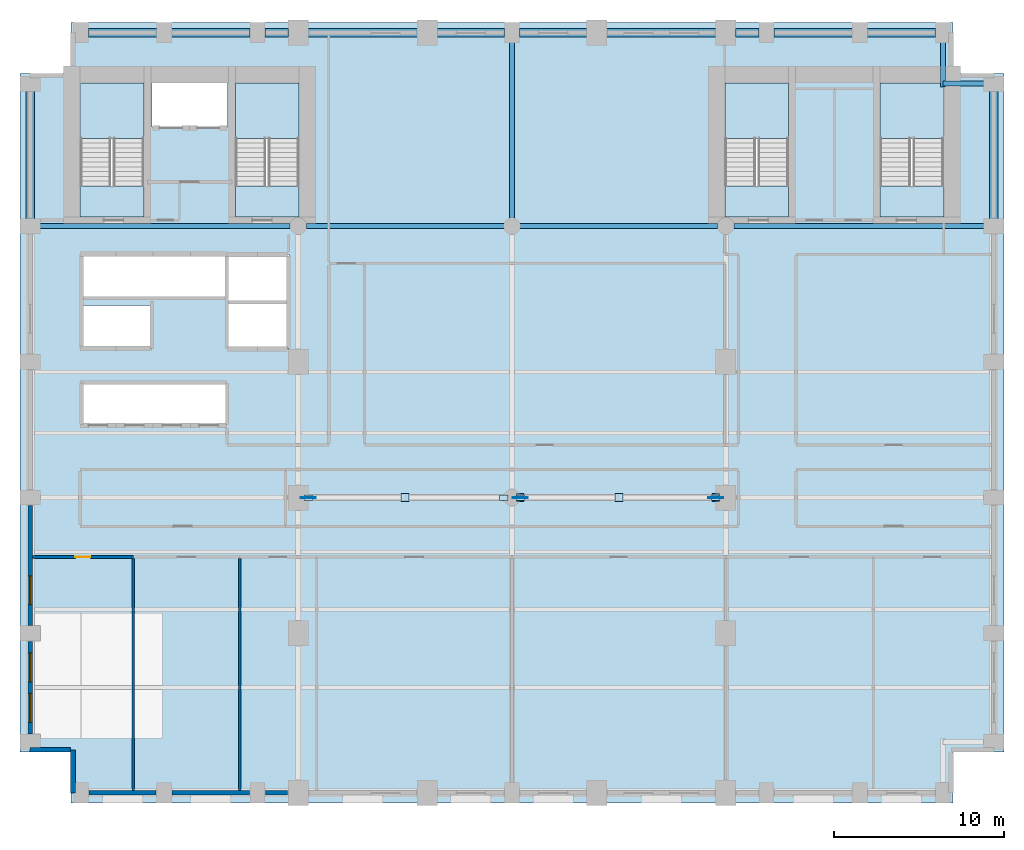
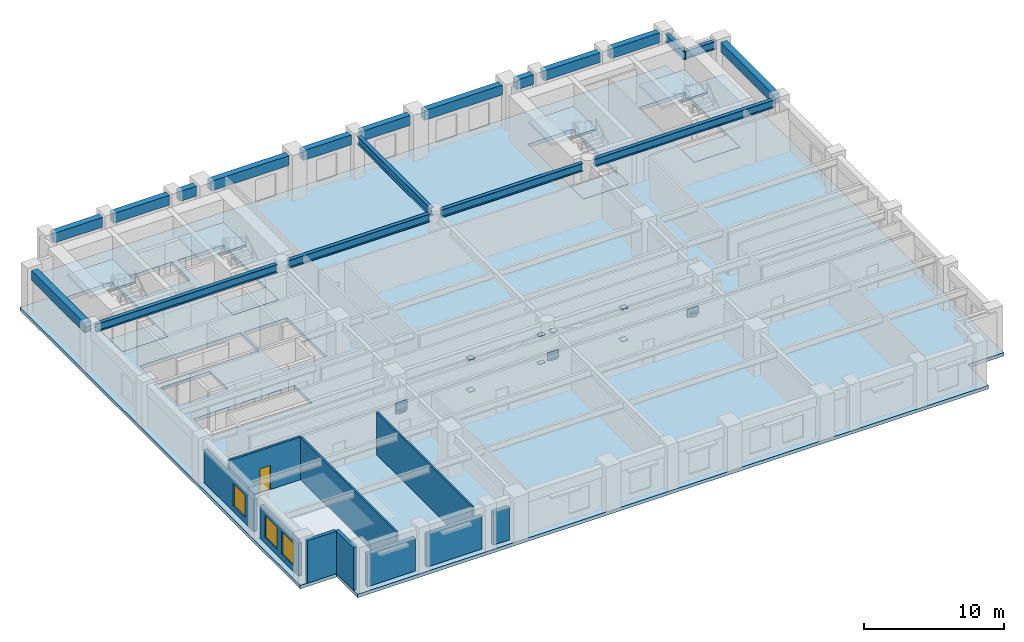
# One storey, part 4 of 11: 19 beams, 16 plates, 10 walls, 9 slabs, 3 windows, 1 door, 4 openings, 4 elements without a shape of their own.
"""IFC4 building model written with IfcOpenShell, lengths in metres."""

from ifc_helpers import new_model, si_unit, direction, frame, frame_2d, origin, origin_2d, place, context, subcontext, project, spatial, polyline, rectangle, i_section, outline, extrude, material, layer, layer_set, material_profile, profile_set, type_object, element, fill, aggregate, save


model = new_model("IFC4")

# Units and contexts
model_context = context("Model", 3, precision=1e-05, world=origin(), true_north=direction((0.0, 1.0)))
body_context = subcontext(model_context, "Body", "Model", "MODEL_VIEW")
ifc_project = project(units=[si_unit("LENGTHUNIT", "METRE"), si_unit("AREAUNIT", "SQUARE_METRE"), si_unit("VOLUMEUNIT", "CUBIC_METRE"), si_unit("PLANEANGLEUNIT", "RADIAN"), si_unit("MASSUNIT", "GRAM", prefix="KILO")], contexts=[model_context])

# Site, building, storey
site_placement = place(None, origin())
site = spatial("IfcSite", under=ifc_project, at=site_placement, CompositionType="ELEMENT")
building_placement = place(site_placement, origin())
building = spatial("IfcBuilding", under=site, at=building_placement, Name="Sulina Concourse Tower", CompositionType="ELEMENT")
storey_placement = place(building_placement, frame((0.0, 0.0, 46.60009765625)))
storey = spatial("IfcBuildingStorey", under=building, at=storey_placement, Name="L11", CompositionType="ELEMENT", Elevation=46.60009765625)

# Beams
ifc_material_1 = material(Name="Steel S355", Category="steel")
ifc_material_profile_1 = material_profile(ifc_material_1, i_section(OverallWidth=0.300048828125, OverallDepth=0.699951171875, WebThickness=0.01708984375, FlangeThickness=0.031982421875, at=origin_2d()), Name="HE 700 B")
ifc_profile_set_1 = profile_set([ifc_material_profile_1], Name="Steel S355")
beam_type_1 = type_object("IfcBeamType", Name="Floor Primary Girder Zone 1 HE700B", PredefinedType="BEAM", material=ifc_profile_set_1)
beam_1_placement = place(storey_placement, frame((54.39990234375, 42.39990234375, 3.349853515625), z_axis=(1.0, 0.0, 0.0), x_axis=(0.0, 1.0, 0.0)))
element("IfcBeam", 1, at=beam_1_placement, inside=storey, type_object=beam_type_1, Name="TIE-NE-L11", PredefinedType="BEAM", context=body_context, shape_type="SweptSolid", body=[
    extrude(i_section(OverallWidth=0.300048828125, OverallDepth=0.699951171875, WebThickness=0.01708984375, FlangeThickness=0.031982421875, at=origin_2d()), origin(), (0.0, 0.0, 1.0), 2.570068359375),
])
beam_2_placement = place(storey_placement, frame((54.39990234375, 42.199951171875, 3.349853515625), z_axis=(0.0, 1.0, 0.0), x_axis=(-1.0, 0.0, 0.0)))
element("IfcBeam", 2, at=beam_2_placement, inside=storey, type_object=beam_type_1, Name="TIE-NEN-L11", PredefinedType="BEAM", context=body_context, shape_type="SweptSolid", body=[
    extrude(i_section(OverallWidth=0.300048828125, OverallDepth=0.699951171875, WebThickness=0.01708984375, FlangeThickness=0.031982421875, at=origin_2d()), origin(), (0.0, 0.0, 1.0), 2.77001953125),
])
beam_3_placement = place(storey_placement, frame((1.030029296875, 34.0, 3.349853515625), z_axis=(1.0, 0.0, 0.0), x_axis=(0.0, 1.0, 0.0)))
element("IfcBeam", 3, at=beam_3_placement, inside=storey, type_object=beam_type_1, Name="FG-EWN1-L11", PredefinedType="BEAM", context=body_context, shape_type="SweptSolid", body=[
    extrude(i_section(OverallWidth=0.300048828125, OverallDepth=0.699951171875, WebThickness=0.01708984375, FlangeThickness=0.031982421875, at=origin_2d()), origin(), (0.0, 0.0, 1.0), 14.889892578125),
])
for number, where, z_axis, x_axis, name in (
    (4, (16.8798828125, 34.0, 3.349853515625), (1.0, 0.0, 0.0), (0.0, 1.0, 0.0), "FG-EWN2-L11"),
    (5, (29.47998046875, 34.0, 3.349853515625), (1.0, 0.0, 0.0), (0.0, 1.0, 0.0), "FG-EWN3-L11"),
):
    element("IfcBeam", number, at=place(storey_placement, frame(where, z_axis=z_axis, x_axis=x_axis)), inside=storey, type_object=beam_type_1, Name=name, PredefinedType="BEAM", context=body_context, shape_type="SweptSolid", body=[
        extrude(i_section(OverallWidth=0.300048828125, OverallDepth=0.699951171875, WebThickness=0.01708984375, FlangeThickness=0.031982421875, at=origin_2d()), origin(), (0.0, 0.0, 1.0), 11.64013671875),
    ])
beam_4_placement = place(storey_placement, frame((42.080078125, 34.0, 3.349853515625), z_axis=(1.0, 0.0, 0.0), x_axis=(0.0, 1.0, 0.0)))
element("IfcBeam", 6, at=beam_4_placement, inside=storey, type_object=beam_type_1, Name="FG-EWN4-L11", PredefinedType="BEAM", context=body_context, shape_type="SweptSolid", body=[
    extrude(i_section(OverallWidth=0.300048828125, OverallDepth=0.699951171875, WebThickness=0.01708984375, FlangeThickness=0.031982421875, at=origin_2d()), origin(), (0.0, 0.0, 1.0), 14.889892578125),
])
beam_5_placement = place(storey_placement, frame((29.0, 34.47998046875, 3.349853515625), z_axis=(0.0, 1.0, 0.0), x_axis=(-1.0, 0.0, 0.0)))
element("IfcBeam", 7, at=beam_5_placement, inside=storey, type_object=beam_type_1, Name="FG-NSC-29-L11", PredefinedType="BEAM", context=body_context, shape_type="SweptSolid", body=[
    extrude(i_section(OverallWidth=0.300048828125, OverallDepth=0.699951171875, WebThickness=0.01708984375, FlangeThickness=0.031982421875, at=origin_2d()), origin(), (0.0, 0.0, 1.0), 10.489990234375),
])
ifc_material_2 = material(Name="Precast concrete C50/60", Category="concrete")
ifc_material_profile_2 = material_profile(ifc_material_2, rectangle(XDim=0.5, YDim=0.85009765625, at=origin_2d()), Name="RC 500x850")
ifc_profile_set_2 = profile_set([ifc_material_profile_2], Name="Precast concrete C50/60")
beam_type_2 = type_object("IfcBeamType", Name="Lower Precast Spandrel Edge Beam 500x850", PredefinedType="BEAM", material=ifc_profile_set_2)
beam_6_placement = place(storey_placement, frame((4.030029296875, 45.39990234375, 3.27490234375), z_axis=(1.0, 0.0, 0.0), x_axis=(0.0, 1.0, 0.0)))
element("IfcBeam", 8, at=beam_6_placement, inside=storey, type_object=beam_type_2, Name="SP-N1-L11", PredefinedType="BEAM", context=body_context, shape_type="SweptSolid", body=[
    extrude(rectangle(XDim=0.5, YDim=0.85009765625, at=origin_2d()), origin(), (0.0, 0.0, 1.0), 4.0400390625),
])
beam_7_placement = place(storey_placement, frame((8.929931640625, 45.39990234375, 3.27490234375), z_axis=(1.0, 0.0, 0.0), x_axis=(0.0, 1.0, 0.0)))
element("IfcBeam", 9, at=beam_7_placement, inside=storey, type_object=beam_type_2, Name="SP-N2-L11", PredefinedType="BEAM", context=body_context, shape_type="SweptSolid", body=[
    extrude(rectangle(XDim=0.5, YDim=0.85009765625, at=origin_2d()), origin(), (0.0, 0.0, 1.0), 4.64013671875),
])
beam_8_placement = place(storey_placement, frame((14.429931640625, 45.39990234375, 3.27490234375), z_axis=(1.0, 0.0, 0.0), x_axis=(0.0, 1.0, 0.0)))
element("IfcBeam", 10, at=beam_8_placement, inside=storey, type_object=beam_type_2, Name="SP-N3-L11", PredefinedType="BEAM", context=body_context, shape_type="SweptSolid", body=[
    extrude(rectangle(XDim=0.5, YDim=0.85009765625, at=origin_2d()), origin(), (0.0, 0.0, 1.0), 1.39013671875),
])
beam_9_placement = place(storey_placement, frame((16.97998046875, 45.39990234375, 3.27490234375), z_axis=(1.0, 0.0, 0.0), x_axis=(0.0, 1.0, 0.0)))
element("IfcBeam", 11, at=beam_9_placement, inside=storey, type_object=beam_type_2, Name="SP-N4-L11", PredefinedType="BEAM", context=body_context, shape_type="SweptSolid", body=[
    extrude(rectangle(XDim=0.5, YDim=0.85009765625, at=origin_2d()), origin(), (0.0, 0.0, 1.0), 6.43994140625),
])
for number, where, z_axis, x_axis, name in (
    (12, (24.580078125, 45.39990234375, 3.27490234375), (1.0, 0.0, 0.0), (0.0, 1.0, 0.0), "SP-N5-L11"),
    (13, (29.429931640625, 45.39990234375, 3.27490234375), (1.0, 0.0, 0.0), (0.0, 1.0, 0.0), "SP-N6-L11"),
):
    element("IfcBeam", number, at=place(storey_placement, frame(where, z_axis=z_axis, x_axis=x_axis)), inside=storey, type_object=beam_type_2, Name=name, PredefinedType="BEAM", context=body_context, shape_type="SweptSolid", body=[
        extrude(rectangle(XDim=0.5, YDim=0.85009765625, at=origin_2d()), origin(), (0.0, 0.0, 1.0), 3.989990234375),
    ])
beam_10_placement = place(storey_placement, frame((34.580078125, 45.39990234375, 3.27490234375), z_axis=(1.0, 0.0, 0.0), x_axis=(0.0, 1.0, 0.0)))
element("IfcBeam", 14, at=beam_10_placement, inside=storey, type_object=beam_type_2, Name="SP-N7-L11", PredefinedType="BEAM", context=body_context, shape_type="SweptSolid", body=[
    extrude(rectangle(XDim=0.5, YDim=0.85009765625, at=origin_2d()), origin(), (0.0, 0.0, 1.0), 6.43994140625),
])
beam_11_placement = place(storey_placement, frame((42.179931640625, 45.39990234375, 3.27490234375), z_axis=(1.0, 0.0, 0.0), x_axis=(0.0, 1.0, 0.0)))
element("IfcBeam", 15, at=beam_11_placement, inside=storey, type_object=beam_type_2, Name="SP-N8-L11", PredefinedType="BEAM", context=body_context, shape_type="SweptSolid", body=[
    extrude(rectangle(XDim=0.5, YDim=0.85009765625, at=origin_2d()), origin(), (0.0, 0.0, 1.0), 1.39013671875),
])
beam_12_placement = place(storey_placement, frame((44.429931640625, 45.39990234375, 3.27490234375), z_axis=(1.0, 0.0, 0.0), x_axis=(0.0, 1.0, 0.0)))
element("IfcBeam", 16, at=beam_12_placement, inside=storey, type_object=beam_type_2, Name="SP-N9-L11", PredefinedType="BEAM", context=body_context, shape_type="SweptSolid", body=[
    extrude(rectangle(XDim=0.5, YDim=0.85009765625, at=origin_2d()), origin(), (0.0, 0.0, 1.0), 4.64013671875),
])
beam_13_placement = place(storey_placement, frame((49.929931640625, 45.39990234375, 3.27490234375), z_axis=(1.0, 0.0, 0.0), x_axis=(0.0, 1.0, 0.0)))
element("IfcBeam", 17, at=beam_13_placement, inside=storey, type_object=beam_type_2, Name="SP-N10-L11", PredefinedType="BEAM", context=body_context, shape_type="SweptSolid", body=[
    extrude(rectangle(XDim=0.5, YDim=0.85009765625, at=origin_2d()), origin(), (0.0, 0.0, 1.0), 4.0400390625),
])
for number, where, z_axis, x_axis, name in (
    (18, (0.60009765625, 34.429931640625, 3.27490234375), (0.0, 1.0, 0.0), (-1.0, 0.0, 0.0), "SP-W5-L11"),
    (19, (57.39990234375, 34.429931640625, 3.27490234375), (0.0, 1.0, 0.0), (-1.0, 0.0, 0.0), "SP-E5-L11"),
):
    element("IfcBeam", number, at=place(storey_placement, frame(where, z_axis=z_axis, x_axis=x_axis)), inside=storey, type_object=beam_type_2, Name=name, PredefinedType="BEAM", context=body_context, shape_type="SweptSolid", body=[
        extrude(rectangle(XDim=0.5, YDim=0.85009765625, at=origin_2d()), origin(), (0.0, 0.0, 1.0), 7.5400390625),
    ])

# Plates
ifc_material_3 = material(Name="Steel S355", Category="steel")
ifc_layer_1 = layer(ifc_material_3, 0.050048828125)
ifc_layer_set_1 = layer_set([ifc_layer_1], Name="Steel S355")
plate_type_1 = type_object("IfcPlateType", Name="Bridge Truss Node Gusset Plate 50mm", PredefinedType="USERDEFINED", material=ifc_layer_set_1)
for number, where, z_axis, x_axis, name in (
    (20, (16.989990234375, 18.0, 0.31982421875), (0.0, 0.0, 1.0), (1.0, 0.0, 0.0), "LBT-CH-1-L11 node gusset plate"),
    (21, (16.989990234375, 18.0, 0.06982421875), (0.0, 0.0, 1.0), (1.0, 0.0, 0.0), "LBT-DG-1-L11 node gusset plate"),
    (22, (29.489990234375, 18.0, 0.31982421875), (0.0, 0.0, 1.0), (1.0, 0.0, 0.0), "LBT-CH-2-L11 node gusset plate"),
    (23, (41.010009765625, 18.0, 0.06982421875), (0.0, 0.0, 1.0), (1.0, 0.0, 0.0), "LBT-DG-2-L11 node gusset plate"),
):
    element("IfcPlate", number, at=place(storey_placement, frame(where, z_axis=z_axis, x_axis=x_axis)), inside=storey, type_object=plate_type_1, Name=name, ObjectType="GUSSET_PLATE", PredefinedType="USERDEFINED", context=body_context, shape_type="SweptSolid", body=[
        extrude(rectangle(XDim=0.89990234375, YDim=0.050048828125, at=origin_2d()), origin(), (0.0, 0.0, 1.0), 0.699951171875),
    ])
ifc_material_4 = material(Name="Steel S355", Category="steel")
ifc_layer_2 = layer(ifc_material_4, 0.035888671875)
ifc_layer_set_2 = layer_set([ifc_layer_2], Name="Steel S355")
plate_type_2 = type_object("IfcPlateType", Name="Heavy RHS500 End-Cap Plate 36mm", PredefinedType="USERDEFINED", material=ifc_layer_set_2)
for number, where, z_axis, x_axis, name in (
    (24, (16.989990234375, 18.0, 0.35205078125), (0.0, 0.0, 1.0), (1.0, 0.0, 0.0), "LBT-CH-1-L11 end cap plate 1"),
    (25, (28.510009765625, 18.0, 0.35205078125), (0.0, 0.0, 1.0), (1.0, 0.0, 0.0), "LBT-CH-1-L11 end cap plate 2"),
    (26, (16.989990234375, 18.0, 0.10205078125), (0.0, 0.0, 1.0), (1.0, 0.0, 0.0), "LBT-DG-1-L11 end cap plate 1"),
    (27, (28.510009765625, 18.0, 2.78173828125), (0.0, 0.0, 1.0), (1.0, 0.0, 0.0), "LBT-DG-1-L11 end cap plate 2"),
    (28, (29.489990234375, 18.0, 0.35205078125), (0.0, 0.0, 1.0), (1.0, 0.0, 0.0), "LBT-CH-2-L11 end cap plate 1"),
    (29, (41.010009765625, 18.0, 0.35205078125), (0.0, 0.0, 1.0), (1.0, 0.0, 0.0), "LBT-CH-2-L11 end cap plate 2"),
):
    element("IfcPlate", number, at=place(storey_placement, frame(where, z_axis=z_axis, x_axis=x_axis)), inside=storey, type_object=plate_type_2, Name=name, ObjectType="CAP_PLATE", PredefinedType="USERDEFINED", context=body_context, shape_type="SweptSolid", body=[
        extrude(rectangle(XDim=0.52001953125, YDim=0.320068359375, at=origin_2d()), origin(), (0.0, 0.0, 1.0), 0.035888671875),
    ])

# Slab
ifc_material_5 = material(Name="Concrete C50/60", Category="concrete")
ifc_layer_3 = layer(ifc_material_5, 0.300048828125)
ifc_layer_set_3 = layer_set([ifc_layer_3], Name="Concrete C50/60")
slab_type_1 = type_object("IfcSlabType", Name="Low-Rise Composite Floor Slab 300mm", PredefinedType="FLOOR", material=ifc_layer_set_3)
slab_1_placement = place(storey_placement, frame((0.0, 0.0, -0.300048828125)))
element("IfcSlab", 30, at=slab_1_placement, inside=storey, type_object=slab_type_1, Name="L11 structural floor slab", PredefinedType="FLOOR", context=body_context, shape_type="SweptSolid", body=[
    extrude(outline(polyline([(3.0, 0.0), (55.0, 0.0), (55.0, 3.0), (58.0, 3.0), (58.0, 43.0), (55.0, 43.0), (55.0, 46.0), (3.0, 46.0), (3.0, 43.0), (0.0, 43.0), (0.0, 3.0), (3.0, 3.0), (3.0, 0.0)]), holes=[polyline([(7.31005859375, 34.550048828125), (7.31005859375, 42.429931640625), (3.550048828125, 42.429931640625), (3.550048828125, 34.550048828125), (7.31005859375, 34.550048828125)]), polyline([(16.449951171875, 34.550048828125), (16.449951171875, 42.429931640625), (12.68994140625, 42.429931640625), (12.68994140625, 34.550048828125), (16.449951171875, 34.550048828125)]), polyline([(45.31005859375, 34.550048828125), (45.31005859375, 42.429931640625), (41.550048828125, 42.429931640625), (41.550048828125, 34.550048828125), (45.31005859375, 34.550048828125)]), polyline([(54.449951171875, 34.550048828125), (54.449951171875, 42.429931640625), (50.68994140625, 42.429931640625), (50.68994140625, 34.550048828125), (54.449951171875, 34.550048828125)]), polyline([(7.780029296875, 39.830078125), (12.219970703125, 39.830078125), (12.219970703125, 42.449951171875), (7.780029296875, 42.449951171875), (7.780029296875, 39.830078125)]), polyline([(3.739990234375, 26.780029296875), (7.77001953125, 26.780029296875), (7.77001953125, 29.320068359375), (3.739990234375, 29.320068359375), (3.739990234375, 26.780029296875)]), polyline([(3.739990234375, 29.780029296875), (12.10009765625, 29.780029296875), (12.10009765625, 32.3701171875), (3.739990234375, 32.3701171875), (3.739990234375, 29.780029296875)]), polyline([(3.739990234375, 22.280029296875), (12.10009765625, 22.280029296875), (12.10009765625, 24.77001953125), (3.739990234375, 24.77001953125), (3.739990234375, 22.280029296875)]), polyline([(12.280029296875, 26.780029296875), (15.85009765625, 26.780029296875), (15.85009765625, 32.320068359375), (12.280029296875, 32.320068359375), (12.280029296875, 26.780029296875)])]), origin(), (0.0, 0.0, 1.0), 0.300048828125),
])

# Plates
ifc_material_6 = material(Name="Steel S355", Category="steel")
ifc_layer_4 = layer(ifc_material_6, 0.028076171875)
ifc_layer_set_4 = layer_set([ifc_layer_4], Name="Steel S355")
plate_type_3 = type_object("IfcPlateType", Name="Medium Hollow Section End-Cap Plate 28mm", PredefinedType="USERDEFINED", material=ifc_layer_set_4)
for number, where, z_axis, x_axis, name in (
    (31, (22.699951171875, 18.0, -0.00927734375), (0.0, 0.0, 1.0), (1.0, 0.0, 0.0), "LBT-VP-1-L11 end cap plate 1"),
    (32, (22.699951171875, 18.0, 2.78564453125), (0.0, 0.0, 1.0), (1.0, 0.0, 0.0), "LBT-VP-1-L11 end cap plate 2"),
    (33, (41.010009765625, 18.0, 0.10595703125), (0.0, 0.0, 1.0), (1.0, 0.0, 0.0), "LBT-DG-2-L11 end cap plate 1"),
    (34, (29.489990234375, 18.0, 2.78564453125), (0.0, 0.0, 1.0), (1.0, 0.0, 0.0), "LBT-DG-2-L11 end cap plate 2"),
    (35, (35.300048828125, 18.0, -0.00927734375), (0.0, 0.0, 1.0), (1.0, 0.0, 0.0), "LBT-VP-2-L11 end cap plate 1"),
    (36, (35.300048828125, 18.0, 2.78564453125), (0.0, 0.0, 1.0), (1.0, 0.0, 0.0), "LBT-VP-2-L11 end cap plate 2"),
):
    element("IfcPlate", number, at=place(storey_placement, frame(where, z_axis=z_axis, x_axis=x_axis)), inside=storey, type_object=plate_type_3, Name=name, ObjectType="CAP_PLATE", PredefinedType="USERDEFINED", context=body_context, shape_type="SweptSolid", body=[
        extrude(rectangle(XDim=0.4599609375, YDim=0.4599609375, at=origin_2d()), origin(), (0.0, 0.0, 1.0), 0.028076171875),
    ])

# Slabs
ifc_material_7 = material(Name="Concrete C50/60", Category="concrete")
ifc_layer_5 = layer(ifc_material_7, 0.199951171875)
ifc_layer_set_5 = layer_set([ifc_layer_5], Name="Concrete C50/60")
slab_type_2 = type_object("IfcSlabType", Name="Primary Core Stair Landing Slab 200mm", PredefinedType="LANDING", material=ifc_layer_set_5)
slab_2_placement = place(storey_placement, frame((0.0, 0.0, -0.2001953125)))
element("IfcSlab", 37, at=slab_2_placement, inside=storey, type_object=slab_type_2, Name="L11 ST-1 floor landing slab", PredefinedType="LANDING", context=body_context, shape_type="SweptSolid", body=[
    extrude(outline(polyline([(7.31005859375, 34.550048828125), (7.31005859375, 36.375), (3.550048828125, 36.375), (3.550048828125, 34.550048828125), (7.31005859375, 34.550048828125)])), origin(), (0.0, 0.0, 1.0), 0.2001953125),
])
slab_3_placement = place(storey_placement, frame((0.0, 0.0, -0.2001953125)))
element("IfcSlab", 38, at=slab_3_placement, inside=storey, type_object=slab_type_2, Name="L11 ST-2 floor landing slab", PredefinedType="LANDING", context=body_context, shape_type="SweptSolid", body=[
    extrude(outline(polyline([(16.449951171875, 34.550048828125), (16.449951171875, 36.375), (12.68994140625, 36.375), (12.68994140625, 34.550048828125), (16.449951171875, 34.550048828125)])), origin(), (0.0, 0.0, 1.0), 0.2001953125),
])
slab_4_placement = place(storey_placement, frame((0.0, 0.0, -0.2001953125)))
element("IfcSlab", 39, at=slab_4_placement, inside=storey, type_object=slab_type_2, Name="L11 ST-3 floor landing slab", PredefinedType="LANDING", context=body_context, shape_type="SweptSolid", body=[
    extrude(outline(polyline([(45.31005859375, 34.550048828125), (45.31005859375, 36.375), (41.550048828125, 36.375), (41.550048828125, 34.550048828125), (45.31005859375, 34.550048828125)])), origin(), (0.0, 0.0, 1.0), 0.2001953125),
])
slab_5_placement = place(storey_placement, frame((0.0, 0.0, -0.2001953125)))
element("IfcSlab", 40, at=slab_5_placement, inside=storey, type_object=slab_type_2, Name="L11 ST-4 floor landing slab", PredefinedType="LANDING", context=body_context, shape_type="SweptSolid", body=[
    extrude(outline(polyline([(54.449951171875, 34.550048828125), (54.449951171875, 36.375), (50.68994140625, 36.375), (50.68994140625, 34.550048828125), (54.449951171875, 34.550048828125)])), origin(), (0.0, 0.0, 1.0), 0.2001953125),
])

# Stair, slab
ifc_material_8 = material(Name="Concrete C50/60", Category="concrete")
stair_type_1 = type_object("IfcStairType", Name="Primary Core Dog-Leg Exit Stair 1800mm", PredefinedType="HALF_TURN_STAIR", material=ifc_material_8)
stair_1_placement = place(storey_placement, origin())
stair_1 = element("IfcStair", 41, at=stair_1_placement, inside=storey, type_object=stair_type_1, Name="L11 ST-1", PredefinedType="HALF_TURN_STAIR")
slab_6_placement = place(storey_placement, frame((0.0, 0.0, 1.7998046875)))
slab_6 = element("IfcSlab", 42, at=slab_6_placement, type_object=slab_type_2, Name="ST-1 landing 1", PredefinedType="LANDING", context=body_context, shape_type="SweptSolid", body=[
    extrude(outline(polyline([(7.304931640625, 39.175048828125), (7.304931640625, 42.425048828125), (3.554931640625, 42.425048828125), (3.554931640625, 39.175048828125), (7.304931640625, 39.175048828125)])), origin(), (0.0, 0.0, 1.0), 0.2001953125),
])
aggregate(stair_1, [slab_6])

stair_2_placement = place(storey_placement, origin())
stair_2 = element("IfcStair", 43, at=stair_2_placement, inside=storey, type_object=stair_type_1, Name="L11 ST-2", PredefinedType="HALF_TURN_STAIR")
slab_7_placement = place(storey_placement, frame((0.0, 0.0, 1.7998046875)))
slab_7 = element("IfcSlab", 44, at=slab_7_placement, type_object=slab_type_2, Name="ST-2 landing 1", PredefinedType="LANDING", context=body_context, shape_type="SweptSolid", body=[
    extrude(outline(polyline([(16.445068359375, 39.175048828125), (16.445068359375, 42.425048828125), (12.695068359375, 42.425048828125), (12.695068359375, 39.175048828125), (16.445068359375, 39.175048828125)])), origin(), (0.0, 0.0, 1.0), 0.2001953125),
])
aggregate(stair_2, [slab_7])

ifc_material_9 = material(Name="Concrete C50/60", Category="concrete")
stair_type_2 = type_object("IfcStairType", Name="Portal & Podium Core Exit Stair 1820mm", PredefinedType="HALF_TURN_STAIR", material=ifc_material_9)
stair_3_placement = place(storey_placement, origin())
stair_3 = element("IfcStair", 45, at=stair_3_placement, inside=storey, type_object=stair_type_2, Name="L11 ST-3", PredefinedType="HALF_TURN_STAIR")
slab_8_placement = place(storey_placement, frame((0.0, 0.0, 1.7998046875)))
slab_8 = element("IfcSlab", 46, at=slab_8_placement, type_object=slab_type_2, Name="ST-3 landing 1", PredefinedType="LANDING", context=body_context, shape_type="SweptSolid", body=[
    extrude(outline(polyline([(45.304931640625, 39.175048828125), (45.304931640625, 42.425048828125), (41.554931640625, 42.425048828125), (41.554931640625, 39.175048828125), (45.304931640625, 39.175048828125)])), origin(), (0.0, 0.0, 1.0), 0.2001953125),
])
aggregate(stair_3, [slab_8])

stair_4_placement = place(storey_placement, origin())
stair_4 = element("IfcStair", 47, at=stair_4_placement, inside=storey, type_object=stair_type_2, Name="L11 ST-4", PredefinedType="HALF_TURN_STAIR")
slab_9_placement = place(storey_placement, frame((0.0, 0.0, 1.7998046875)))
slab_9 = element("IfcSlab", 48, at=slab_9_placement, type_object=slab_type_2, Name="ST-4 landing 1", PredefinedType="LANDING", context=body_context, shape_type="SweptSolid", body=[
    extrude(outline(polyline([(54.445068359375, 39.175048828125), (54.445068359375, 42.425048828125), (50.695068359375, 42.425048828125), (50.695068359375, 39.175048828125), (54.445068359375, 39.175048828125)])), origin(), (0.0, 0.0, 1.0), 0.2001953125),
])
aggregate(stair_4, [slab_9])

# Walls
ifc_material_10 = material(Name="Gypsum board on steel stud", Category="steel")
ifc_layer_6 = layer(ifc_material_10, 0.14990234375)
ifc_layer_set_6 = layer_set([ifc_layer_6], Name="Gypsum board on steel stud")
wall_type_1 = type_object("IfcWallType", Name="Inter-Tenancy Acoustic Partition 150mm", PredefinedType="PARTITIONING", material=ifc_layer_set_6)
for number, where, z_axis, x_axis, name in (
    (49, (6.679931640625, 0.739990234375, 0.0), (0.0, 0.0, 1.0), (0.0, 1.0, 0.0), "L11 interior partition 028"),
    (50, (12.93994140625, 0.739990234375, 0.0), (0.0, 0.0, 1.0), (0.0, 1.0, 0.0), "L11 interior partition 031"),
):
    element("IfcWall", number, at=place(storey_placement, frame(where, z_axis=z_axis, x_axis=x_axis)), inside=storey, type_object=wall_type_1, Name=name, PredefinedType="PARTITIONING", context=body_context, shape_type="SweptSolid", body=[
        extrude(rectangle(XDim=13.669921875, YDim=0.14990234375, at=frame_2d((6.8349609375, 0.0))), origin(), (0.0, 0.0, 1.0), 3.699951171875),
    ])

# Wall, opening, door
ifc_material_11 = material(Name="Gypsum board on steel stud", Category="steel")
ifc_layer_7 = layer(ifc_material_11, 0.179931640625)
ifc_layer_set_7 = layer_set([ifc_layer_7], Name="Gypsum board on steel stud")
wall_type_2 = type_object("IfcWallType", Name="Protected Corridor & Riser Partition 180mm", PredefinedType="PARTITIONING", material=ifc_layer_set_7)
wall_1_placement = place(storey_placement, frame((0.739990234375, 14.5, 0.0), z_axis=(0.0, 0.0, 1.0), x_axis=(1.0, 0.0, 0.0)))
wall_1 = element("IfcWall", 51, at=wall_1_placement, inside=storey, type_object=wall_type_2, Name="L11 interior partition 001", PredefinedType="PARTITIONING", context=body_context, shape_type="SweptSolid", body=[
    extrude(rectangle(XDim=5.93994140625, YDim=0.179931640625, at=frame_2d((2.969970703125, 0.0))), origin(), (0.0, 0.0, 1.0), 3.699951171875),
])
opening_1_placement = place(wall_1_placement, frame((2.530029296875, 0.0, 0.0)))
opening_1 = element("IfcOpeningElement", 52, at=opening_1_placement, cuts=wall_1, Name="Opening DR-38", PredefinedType="OPENING", context=body_context, shape_type="SweptSolid", body=[
    extrude(rectangle(XDim=0.8798828125, YDim=2.10009765625, at=frame_2d((0.43994140625, 1.050048828125))), frame((0.0, 0.099853515625, 0.0), z_axis=(0.0, -1.0, 0.0), x_axis=(1.0, 0.0, 0.0)), (0.0, 0.0, 1.0), 0.199951171875),
])
ifc_material_12 = material(Name="Galvanised steel acoustic fire leaf", Category="steel")
ifc_layer_8 = layer(ifc_material_12, 0.050048828125)
ifc_layer_set_8 = layer_set([ifc_layer_8], Name="Galvanised steel acoustic fire leaf")
door_type = type_object("IfcDoorType", Name="Service Riser Fire Door 880x2100", OperationType="NOTDEFINED", PredefinedType="DOOR", material=ifc_layer_set_8)
door_placement = place(opening_1_placement, origin())
door = element("IfcDoor", 53, at=door_placement, inside=storey, type_object=door_type, Name="L11 interior door L11-S01", OperationType="SINGLE_SWING_LEFT", OverallHeight=2.10009765625, OverallWidth=0.8798828125, PredefinedType="DOOR", context=body_context, shape_type="SweptSolid", body=[
    extrude(rectangle(XDim=0.8798828125, YDim=2.10009765625, at=frame_2d((0.43994140625, 1.050048828125))), frame((0.0, 0.02490234375, 0.0), z_axis=(0.0, -1.0, 0.0), x_axis=(1.0, 0.0, 0.0)), (0.0, 0.0, 1.0), 0.050048828125),
])
fill(opening_1, door)

# Walls
ifc_material_13 = material(Name="Precast concrete C50/60", Category="concrete")
ifc_layer_9 = layer(ifc_material_13, 0.280029296875)
ifc_layer_set_9 = layer_set([ifc_layer_9], Name="Precast concrete C50/60")
wall_type_3 = type_object("IfcWallType", Name="Typical Precast Masonry-Frame Facade Wall 280mm", PredefinedType="SOLIDWALL", material=ifc_layer_set_9)
wall_2_placement = place(storey_placement, frame((8.030029296875, 0.60009765625, 0.0), z_axis=(0.0, 0.0, 1.0), x_axis=(-1.0, 0.0, 0.0)))
element("IfcWall", 54, at=wall_2_placement, inside=storey, type_object=wall_type_3, Name="L11 exterior precast wall S1", PredefinedType="SOLIDWALL", context=body_context, shape_type="SweptSolid", body=[
    extrude(rectangle(XDim=3.9599609375, YDim=0.280029296875, at=frame_2d((1.97998046875, 0.0))), origin(), (0.0, 0.0, 1.0), 2.849853515625),
])
wall_3_placement = place(storey_placement, frame((13.530029296875, 0.60009765625, 0.0), z_axis=(0.0, 0.0, 1.0), x_axis=(-1.0, 0.0, 0.0)))
element("IfcWall", 55, at=wall_3_placement, inside=storey, type_object=wall_type_3, Name="L11 exterior precast wall S2", PredefinedType="SOLIDWALL", context=body_context, shape_type="SweptSolid", body=[
    extrude(rectangle(XDim=4.56005859375, YDim=0.280029296875, at=frame_2d((2.280029296875, 0.0))), origin(), (0.0, 0.0, 1.0), 2.849853515625),
])
wall_4_placement = place(storey_placement, frame((15.780029296875, 0.60009765625, 0.0), z_axis=(0.0, 0.0, 1.0), x_axis=(-1.0, 0.0, 0.0)))
element("IfcWall", 56, at=wall_4_placement, inside=storey, type_object=wall_type_3, Name="L11 exterior precast wall S3", PredefinedType="SOLIDWALL", context=body_context, shape_type="SweptSolid", body=[
    extrude(rectangle(XDim=1.31005859375, YDim=0.280029296875, at=frame_2d((0.655029296875, 0.0))), origin(), (0.0, 0.0, 1.0), 2.849853515625),
])

# Wall, openings, windows
wall_5_placement = place(storey_placement, frame((0.60009765625, 4.070068359375, 0.0), z_axis=(0.0, 0.0, 1.0), x_axis=(0.0, 1.0, 0.0)))
wall_5 = element("IfcWall", 57, at=wall_5_placement, inside=storey, type_object=wall_type_3, Name="L11 exterior precast wall W1", PredefinedType="SOLIDWALL", context=body_context, shape_type="SweptSolid", body=[
    extrude(rectangle(XDim=5.4599609375, YDim=0.280029296875, at=frame_2d((2.72998046875, 0.0))), origin(), (0.0, 0.0, 1.0), 2.849853515625),
])
opening_2_placement = place(wall_5_placement, frame((0.686767578125, 0.0, 0.5)))
opening_2 = element("IfcOpeningElement", 58, at=opening_2_placement, cuts=wall_5, Name="Opening WN-66", PredefinedType="OPENING", context=body_context, shape_type="SweptSolid", body=[
    extrude(rectangle(XDim=1.699951171875, YDim=1.949951171875, at=frame_2d((0.85009765625, 0.97509765625))), frame((0.0, 0.14990234375, 0.0), z_axis=(0.0, -1.0, 0.0), x_axis=(1.0, 0.0, 0.0)), (0.0, 0.0, 1.0), 0.300048828125),
])
opening_3_placement = place(wall_5_placement, frame((3.0732421875, 0.0, 0.5)))
opening_3 = element("IfcOpeningElement", 59, at=opening_3_placement, cuts=wall_5, Name="Opening WN-66", PredefinedType="OPENING", context=body_context, shape_type="SweptSolid", body=[
    extrude(rectangle(XDim=1.699951171875, YDim=1.949951171875, at=frame_2d((0.85009765625, 0.97509765625))), frame((0.0, 0.14990234375, 0.0), z_axis=(0.0, -1.0, 0.0), x_axis=(1.0, 0.0, 0.0)), (0.0, 0.0, 1.0), 0.300048828125),
])
ifc_material_14 = material(Name="Low-E solar double glazing in bronze aluminium", Category="aluminium")
window_type = type_object("IfcWindowType", Name="Recessed Spandrel Window 1700x1950", PartitioningType="SINGLE_PANEL", PredefinedType="WINDOW", material=ifc_material_14)
window_1_placement = place(opening_2_placement, origin())
window_1 = element("IfcWindow", 60, at=window_1_placement, inside=storey, type_object=window_type, Name="L11 punched window W1-1", OverallHeight=1.949951171875, OverallWidth=1.699951171875, PartitioningType="SINGLE_PANEL", PredefinedType="WINDOW", context=body_context, shape_type="SweptSolid", body=[
    extrude(rectangle(XDim=1.699951171875, YDim=1.949951171875, at=frame_2d((0.85009765625, 0.97509765625))), frame((0.0, 0.030029296875, 0.0), z_axis=(0.0, -1.0, 0.0), x_axis=(1.0, 0.0, 0.0)), (0.0, 0.0, 1.0), 0.06005859375),
])
fill(opening_2, window_1)
window_2_placement = place(opening_3_placement, origin())
window_2 = element("IfcWindow", 61, at=window_2_placement, inside=storey, type_object=window_type, Name="L11 punched window W1-2", OverallHeight=1.949951171875, OverallWidth=1.699951171875, PartitioningType="SINGLE_PANEL", PredefinedType="WINDOW", context=body_context, shape_type="SweptSolid", body=[
    extrude(rectangle(XDim=1.699951171875, YDim=1.949951171875, at=frame_2d((0.85009765625, 0.97509765625))), frame((0.0, 0.030029296875, 0.0), z_axis=(0.0, -1.0, 0.0), x_axis=(1.0, 0.0, 0.0)), (0.0, 0.0, 1.0), 0.06005859375),
])
fill(opening_3, window_2)

# Wall, opening, window
wall_6_placement = place(storey_placement, frame((0.60009765625, 10.469970703125, 0.0), z_axis=(0.0, 0.0, 1.0), x_axis=(0.0, 1.0, 0.0)))
wall_6 = element("IfcWall", 62, at=wall_6_placement, inside=storey, type_object=wall_type_3, Name="L11 exterior precast wall W2", PredefinedType="SOLIDWALL", context=body_context, shape_type="SweptSolid", body=[
    extrude(rectangle(XDim=7.06005859375, YDim=0.280029296875, at=frame_2d((3.530029296875, 0.0))), origin(), (0.0, 0.0, 1.0), 2.849853515625),
])
opening_4_placement = place(wall_6_placement, frame((1.219970703125, 0.0, 0.5)))
opening_4 = element("IfcOpeningElement", 63, at=opening_4_placement, cuts=wall_6, Name="Opening WN-66", PredefinedType="OPENING", context=body_context, shape_type="SweptSolid", body=[
    extrude(rectangle(XDim=1.699951171875, YDim=1.949951171875, at=frame_2d((0.85009765625, 0.97509765625))), frame((0.0, 0.14990234375, 0.0), z_axis=(0.0, -1.0, 0.0), x_axis=(1.0, 0.0, 0.0)), (0.0, 0.0, 1.0), 0.300048828125),
])
window_3_placement = place(opening_4_placement, origin())
window_3 = element("IfcWindow", 64, at=window_3_placement, inside=storey, type_object=window_type, Name="L11 punched window W2-1", OverallHeight=1.949951171875, OverallWidth=1.699951171875, PartitioningType="SINGLE_PANEL", PredefinedType="WINDOW", context=body_context, shape_type="SweptSolid", body=[
    extrude(rectangle(XDim=1.699951171875, YDim=1.949951171875, at=frame_2d((0.85009765625, 0.97509765625))), frame((0.0, 0.030029296875, 0.0), z_axis=(0.0, -1.0, 0.0), x_axis=(1.0, 0.0, 0.0)), (0.0, 0.0, 1.0), 0.06005859375),
])
fill(opening_4, window_3)

# Walls
wall_7_placement = place(storey_placement, frame((3.1298828125, 0.60009765625, 0.0), z_axis=(0.0, 0.0, 1.0), x_axis=(0.0, 1.0, 0.0)))
element("IfcWall", 65, at=wall_7_placement, inside=storey, type_object=wall_type_3, Name="L11 exterior precast wall CSW1", PredefinedType="SOLIDWALL", context=body_context, shape_type="SweptSolid", body=[
    extrude(rectangle(XDim=2.52978515625, YDim=0.280029296875, at=frame_2d((1.264892578125, 0.0))), origin(), (0.0, 0.0, 1.0), 3.699951171875),
])
wall_8_placement = place(storey_placement, frame((2.985107421875, 3.1298828125, 0.0), z_axis=(0.0, 0.0, 1.0), x_axis=(-1.0, 0.0, 0.0)))
element("IfcWall", 66, at=wall_8_placement, inside=storey, type_object=wall_type_3, Name="L11 exterior precast wall CSW2", PredefinedType="SOLIDWALL", context=body_context, shape_type="SweptSolid", body=[
    extrude(rectangle(XDim=2.385009765625, YDim=0.280029296875, at=frame_2d((1.1923828125, 0.0))), origin(), (0.0, 0.0, 1.0), 3.699951171875),
])

save(model, "model.ifc")
